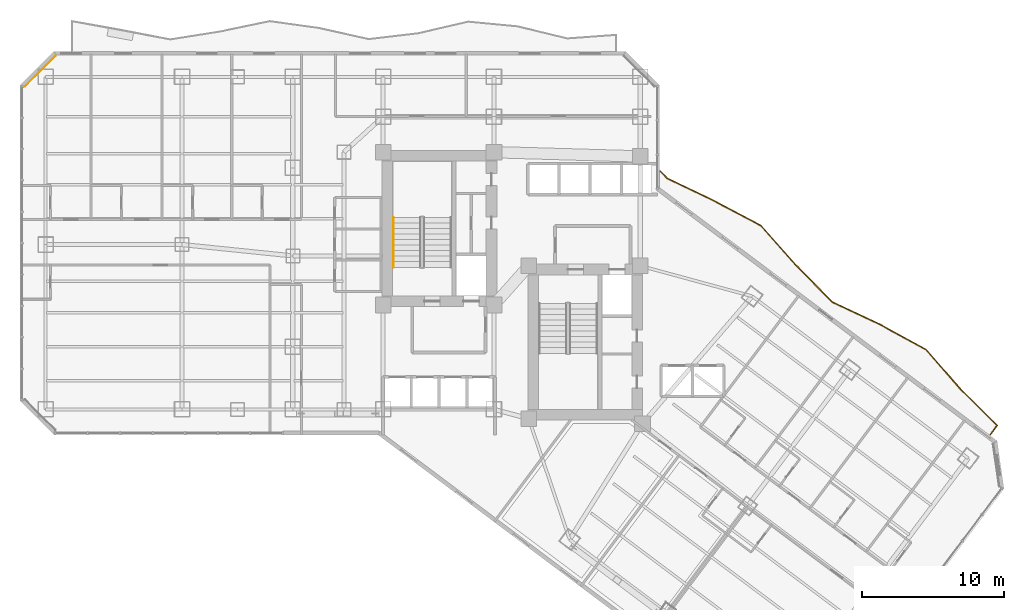
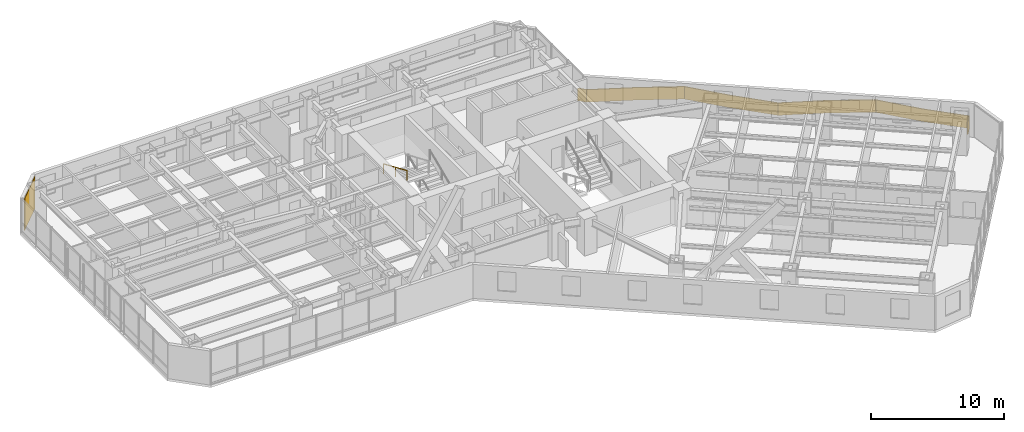
# One storey, part 31 of 33: 2 railings, 1 covering.
"""IFC4 building model written with IfcOpenShell, lengths in metres."""

from ifc_helpers import new_model, si_unit, direction, frame, origin, origin_2d, place, context, subcontext, project, spatial, polyline, rectangle, circle, outline, extrude, material, layer, layer_set, type_object, element, save


model = new_model("IFC4")

# Units and contexts
model_context = context("Model", 3, precision=1e-05, world=origin(), true_north=direction((0.0, 1.0)))
body_context = subcontext(model_context, "Body", "Model", "MODEL_VIEW")
ifc_project = project(units=[si_unit("LENGTHUNIT", "METRE"), si_unit("AREAUNIT", "SQUARE_METRE"), si_unit("VOLUMEUNIT", "CUBIC_METRE"), si_unit("PLANEANGLEUNIT", "RADIAN"), si_unit("MASSUNIT", "GRAM", prefix="KILO")], contexts=[model_context])

# Site, building, storey
site_placement = place(None, origin())
site = spatial("IfcSite", under=ifc_project, at=site_placement, CompositionType="ELEMENT")
building_placement = place(site_placement, origin())
building = spatial("IfcBuilding", under=site, at=building_placement, Name="Hatsunagi Terrace Concourse", CompositionType="ELEMENT")
storey_placement = place(building_placement, frame((0.0, 0.0, 43.300048828125)))
storey = spatial("IfcBuildingStorey", under=building, at=storey_placement, Name="L10", CompositionType="ELEMENT", Elevation=43.300048828125)

# Railings
ifc_material_1 = material(Name="Laminated Glass and Stainless Steel Guard", Category="steel")
ifc_layer_1 = layer(ifc_material_1, 0.070068359375)
ifc_layer_set_1 = layer_set([ifc_layer_1], Name="BalconyGlassGuardRail_1150")
railing_type_1 = type_object("IfcRailingType", Name="BalconyGlassGuardRail_1150", PredefinedType="BALUSTRADE", material=ifc_layer_set_1)
railing_1_placement = place(storey_placement, origin())
element("IfcRailing", 1, at=railing_1_placement, inside=storey, type_object=railing_type_1, Name="Engawa Balcony Guard GRD-01 L10-BSE-1", PredefinedType="BALUSTRADE", context=body_context, shape_type="SweptSolid", body=[
    extrude(outline(polyline([(45.0712890625, 41.998291015625), (45.020751953125, 41.94970703125), (45.518310546875, 41.43310546875), (48.8701171875, 39.82373046875), (52.10400390625, 38.10791015625), (54.557373046875, 35.34716796875), (57.1484375, 32.717041015625), (60.519287109375, 31.1337890625), (63.725830078125, 29.38330078125), (66.16259765625, 26.596923828125), (68.716796875, 24.063720703125), (68.241943359375, 23.430908203125), (68.298095703125, 23.388916015625), (68.809326171875, 24.0703125), (66.21337890625, 26.64501953125), (63.770263671875, 29.438720703125), (60.55078125, 31.1962890625), (57.189453125, 32.77490234375), (54.608642578125, 35.39501953125), (52.14794921875, 38.1640625), (48.90185546875, 39.88623046875), (45.559814453125, 41.49072265625), (45.0712890625, 41.998291015625)])), origin(), (0.0, 0.0, 1.0), 1.14990234375),
])
ifc_material_2 = material(Name="Stainless steel", Category="steel")
ifc_layer_2 = layer(ifc_material_2, 0.044921875)
ifc_layer_set_2 = layer_set([ifc_layer_2], Name="StairPitchHandrail_Tower2000")
railing_type_2 = type_object("IfcRailingType", Name="StairPitchHandrail_Tower2000", PredefinedType="HANDRAIL", material=ifc_layer_set_2)
railing_2_placement = place(storey_placement, frame((26.280029296875, 38.7099609375, 1.842529296875)))
element("IfcRailing", 2, at=railing_2_placement, inside=storey, type_object=railing_type_2, Name="L10 ST-A stair handrail 2", PredefinedType="HANDRAIL", context=body_context, shape_type="SweptSolid", body=[
    extrude(circle(Radius=0.02392578125, at=origin_2d()), frame((0.0, 0.0, 0.8759765625), z_axis=(0.0, -0.918857182807, 0.394590265469), x_axis=(1.0, 0.0, 0.0)), (0.0, 0.0, 1.0), 3.820068359375),
    extrude(circle(Radius=0.02099609375, at=origin_2d()), origin(), (0.0, 0.0, 1.0), 0.851806640625),
    extrude(circle(Radius=0.02099609375, at=origin_2d()), frame((0.0, -1.7548828125, 0.753662109375)), (0.0, 0.0, 1.0), 0.851806640625),
    extrude(circle(Radius=0.02099609375, at=origin_2d()), frame((0.0, -3.510009765625, 1.50732421875)), (0.0, 0.0, 1.0), 0.851806640625),
])

# Covering
ifc_material_3 = material(Name="Unglazed Warm Terracotta Rainscreen Tile", Category="masonry")
ifc_layer_3 = layer(ifc_material_3, 0.044921875)
ifc_layer_set_3 = layer_set([ifc_layer_3], Name="TerracottaRainscreenCladding_45")
covering_type = type_object("IfcCoveringType", Name="TerracottaRainscreenCladding_45", PredefinedType="CLADDING", material=ifc_layer_set_3)
covering_placement = place(storey_placement, frame((1.4140625, 48.986083984375, 0.10009765625), z_axis=(0.0, 0.0, 1.0), x_axis=(0.707106781187, 0.707106781187, 0.0)))
element("IfcCovering", 3, at=covering_placement, inside=storey, type_object=covering_type, Name="Terracotta Rainscreen Cladding L10-10", PredefinedType="CLADDING", context=body_context, shape_type="SweptSolid", body=[
    extrude(rectangle(XDim=3.0380859375, YDim=0.044921875, at=origin_2d()), origin(), (0.0, 0.0, 1.0), 2.929931640625),
])

save(model, "model.ifc")
